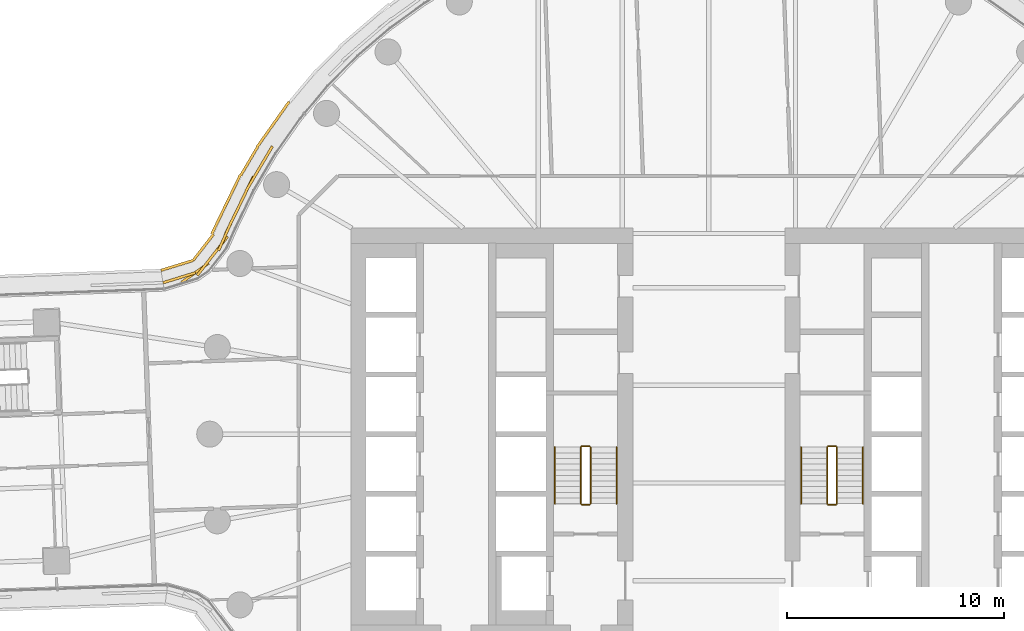
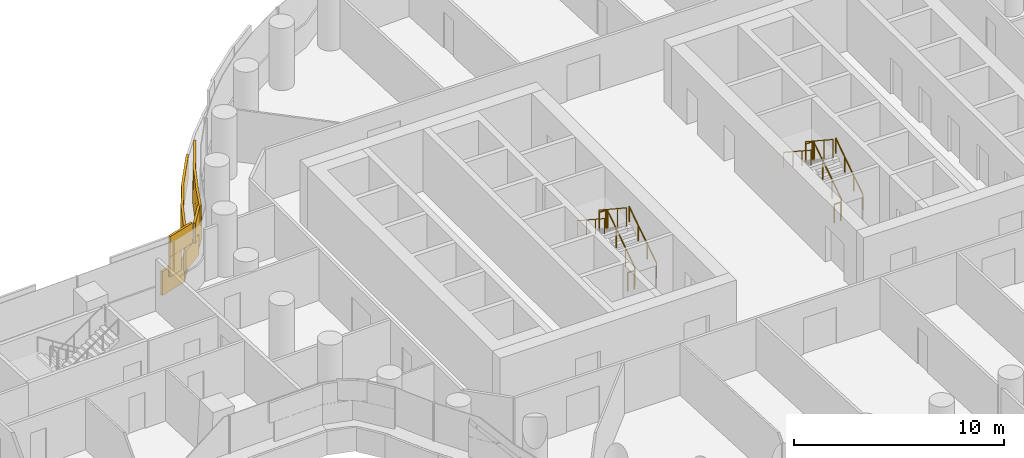
# One storey, part 28 of 31: 12 railings, 1 covering.
"""IFC4 building model written with IfcOpenShell, lengths in metres."""

from ifc_helpers import new_model, si_unit, direction, frame, origin, origin_2d, place, context, subcontext, project, spatial, rectangle, circle, extrude, material, layer, layer_set, type_object, element, save


model = new_model("IFC4")

# Units and contexts
model_context = context("Model", 3, precision=1e-05, world=origin(), true_north=direction((0.0, 1.0)))
body_context = subcontext(model_context, "Body", "Model", "MODEL_VIEW")
ifc_project = project(units=[si_unit("LENGTHUNIT", "METRE"), si_unit("AREAUNIT", "SQUARE_METRE"), si_unit("VOLUMEUNIT", "CUBIC_METRE"), si_unit("PLANEANGLEUNIT", "RADIAN"), si_unit("MASSUNIT", "GRAM", prefix="KILO")], contexts=[model_context])

# Site, building, storey
site_placement = place(None, origin())
site = spatial("IfcSite", under=ifc_project, at=site_placement, CompositionType="ELEMENT")
building_placement = place(site_placement, origin())
building = spatial("IfcBuilding", under=site, at=building_placement, Name="Tamarind Cross Interchange Tower", CompositionType="ELEMENT")
storey_placement = place(building_placement, frame((0.0, 0.0, 41.5)))
storey = spatial("IfcBuildingStorey", under=building, at=storey_placement, Name="L08", CompositionType="ELEMENT", Elevation=41.5)

# Railings
ifc_material_1 = material(Name="Stair guard")
railing_type_1 = type_object("IfcRailingType", Name="Stair guard", PredefinedType="GUARDRAIL", material=ifc_material_1)
railing_1_placement = place(storey_placement, frame((-5.449951171875, -3.199951171875, 0.17041015625)))
element("IfcRailing", 1, at=railing_1_placement, inside=storey, type_object=railing_type_1, Name="L08 ST1 stair guard 1", PredefinedType="GUARDRAIL", context=body_context, shape_type="SweptSolid", body=[
    extrude(circle(Radius=0.02392578125, at=origin_2d()), frame((0.0, 0.0, 1.076171875), z_axis=(0.0, 0.836278606002, 0.548304744775), x_axis=(-1.0, 0.0, 0.0)), (0.0, 0.0, 1.0), 3.10888671875),
    extrude(circle(Radius=0.02099609375, at=origin_2d()), origin(), (0.0, 0.0, 1.0), 1.052001953125),
    extrude(circle(Radius=0.02099609375, at=origin_2d()), frame((0.0, 0.86669921875, 0.568115234375)), (0.0, 0.0, 1.0), 1.052001953125),
    extrude(circle(Radius=0.02099609375, at=origin_2d()), frame((0.0, 1.733154296875, 1.136474609375)), (0.0, 0.0, 1.0), 1.052001953125),
    extrude(circle(Radius=0.02099609375, at=origin_2d()), frame((0.0, 2.599853515625, 1.70458984375)), (0.0, 0.0, 1.0), 1.052001953125),
])
railing_2_placement = place(storey_placement, frame((-5.5, -0.550048828125, 1.875)))
element("IfcRailing", 2, at=railing_2_placement, inside=storey, type_object=railing_type_1, Name="L08 ST1 stair guard 2", PredefinedType="GUARDRAIL", context=body_context, shape_type="SweptSolid", body=[
    extrude(circle(Radius=0.02392578125, at=origin_2d()), frame((0.0, 0.0, 1.076171875), z_axis=(-1.0, 0.0, 0.0), x_axis=(0.0, -1.0, 0.0)), (0.0, 0.0, 1.0), 0.35009765625),
    extrude(circle(Radius=0.02099609375, at=origin_2d()), origin(), (0.0, 0.0, 1.0), 1.052001953125),
    extrude(circle(Radius=0.02099609375, at=origin_2d()), frame((-0.35009765625, 0.0, 0.0)), (0.0, 0.0, 1.0), 1.052001953125),
])
railing_3_placement = place(storey_placement, frame((-5.89990234375, -0.60009765625, 2.04541015625)))
element("IfcRailing", 3, at=railing_3_placement, inside=storey, type_object=railing_type_1, Name="L08 ST1 stair guard 3", PredefinedType="GUARDRAIL", context=body_context, shape_type="SweptSolid", body=[
    extrude(circle(Radius=0.02392578125, at=origin_2d()), frame((0.0, 0.0, 1.076171875), z_axis=(0.0, -0.836278606002, 0.548304744775), x_axis=(1.0, 0.0, 0.0)), (0.0, 0.0, 1.0), 3.10888671875),
    extrude(circle(Radius=0.02099609375, at=origin_2d()), origin(), (0.0, 0.0, 1.0), 1.052001953125),
    extrude(circle(Radius=0.02099609375, at=origin_2d()), frame((0.0, -0.86669921875, 0.568115234375)), (0.0, 0.0, 1.0), 1.052001953125),
    extrude(circle(Radius=0.02099609375, at=origin_2d()), frame((0.0, -1.733154296875, 1.136474609375)), (0.0, 0.0, 1.0), 1.052001953125),
    extrude(circle(Radius=0.02099609375, at=origin_2d()), frame((0.0, -2.599853515625, 1.70458984375)), (0.0, 0.0, 1.0), 1.052001953125),
])
railing_4_placement = place(storey_placement, frame((-5.5, -3.25, 0.0)))
element("IfcRailing", 4, at=railing_4_placement, inside=storey, type_object=railing_type_1, Name="L08 ST1 stair guard 4", PredefinedType="GUARDRAIL", context=body_context, shape_type="SweptSolid", body=[
    extrude(circle(Radius=0.02392578125, at=origin_2d()), frame((0.0, 0.0, 1.076171875), z_axis=(-1.0, 0.0, 0.0), x_axis=(0.0, -1.0, 0.0)), (0.0, 0.0, 1.0), 0.35009765625),
    extrude(circle(Radius=0.02099609375, at=origin_2d()), origin(), (0.0, 0.0, 1.0), 1.052001953125),
    extrude(circle(Radius=0.02099609375, at=origin_2d()), frame((-0.35009765625, 0.0, 0.0)), (0.0, 0.0, 1.0), 1.052001953125),
])
railing_5_placement = place(storey_placement, frame((5.89990234375, -3.199951171875, 0.17041015625)))
element("IfcRailing", 5, at=railing_5_placement, inside=storey, type_object=railing_type_1, Name="L08 ST2 stair guard 1", PredefinedType="GUARDRAIL", context=body_context, shape_type="SweptSolid", body=[
    extrude(circle(Radius=0.02392578125, at=origin_2d()), frame((0.0, 0.0, 1.076171875), z_axis=(0.0, 0.836278606002, 0.548304744775), x_axis=(-1.0, 0.0, 0.0)), (0.0, 0.0, 1.0), 3.10888671875),
    extrude(circle(Radius=0.02099609375, at=origin_2d()), origin(), (0.0, 0.0, 1.0), 1.052001953125),
    extrude(circle(Radius=0.02099609375, at=origin_2d()), frame((0.0, 0.86669921875, 0.568115234375)), (0.0, 0.0, 1.0), 1.052001953125),
    extrude(circle(Radius=0.02099609375, at=origin_2d()), frame((0.0, 1.733154296875, 1.136474609375)), (0.0, 0.0, 1.0), 1.052001953125),
    extrude(circle(Radius=0.02099609375, at=origin_2d()), frame((0.0, 2.599853515625, 1.70458984375)), (0.0, 0.0, 1.0), 1.052001953125),
])
railing_6_placement = place(storey_placement, frame((5.85009765625, -0.550048828125, 1.875)))
element("IfcRailing", 6, at=railing_6_placement, inside=storey, type_object=railing_type_1, Name="L08 ST2 stair guard 2", PredefinedType="GUARDRAIL", context=body_context, shape_type="SweptSolid", body=[
    extrude(circle(Radius=0.02392578125, at=origin_2d()), frame((0.0, 0.0, 1.076171875), z_axis=(-1.0, 0.0, 0.0), x_axis=(0.0, -1.0, 0.0)), (0.0, 0.0, 1.0), 0.35009765625),
    extrude(circle(Radius=0.02099609375, at=origin_2d()), origin(), (0.0, 0.0, 1.0), 1.052001953125),
    extrude(circle(Radius=0.02099609375, at=origin_2d()), frame((-0.35009765625, 0.0, 0.0)), (0.0, 0.0, 1.0), 1.052001953125),
])
railing_7_placement = place(storey_placement, frame((5.449951171875, -0.60009765625, 2.04541015625)))
element("IfcRailing", 7, at=railing_7_placement, inside=storey, type_object=railing_type_1, Name="L08 ST2 stair guard 3", PredefinedType="GUARDRAIL", context=body_context, shape_type="SweptSolid", body=[
    extrude(circle(Radius=0.02392578125, at=origin_2d()), frame((0.0, 0.0, 1.076171875), z_axis=(0.0, -0.836278606002, 0.548304744775), x_axis=(1.0, 0.0, 0.0)), (0.0, 0.0, 1.0), 3.10888671875),
    extrude(circle(Radius=0.02099609375, at=origin_2d()), origin(), (0.0, 0.0, 1.0), 1.052001953125),
    extrude(circle(Radius=0.02099609375, at=origin_2d()), frame((0.0, -0.86669921875, 0.568115234375)), (0.0, 0.0, 1.0), 1.052001953125),
    extrude(circle(Radius=0.02099609375, at=origin_2d()), frame((0.0, -1.733154296875, 1.136474609375)), (0.0, 0.0, 1.0), 1.052001953125),
    extrude(circle(Radius=0.02099609375, at=origin_2d()), frame((0.0, -2.599853515625, 1.70458984375)), (0.0, 0.0, 1.0), 1.052001953125),
])
railing_8_placement = place(storey_placement, frame((5.85009765625, -3.25, 0.0)))
element("IfcRailing", 8, at=railing_8_placement, inside=storey, type_object=railing_type_1, Name="L08 ST2 stair guard 4", PredefinedType="GUARDRAIL", context=body_context, shape_type="SweptSolid", body=[
    extrude(circle(Radius=0.02392578125, at=origin_2d()), frame((0.0, 0.0, 1.076171875), z_axis=(-1.0, 0.0, 0.0), x_axis=(0.0, -1.0, 0.0)), (0.0, 0.0, 1.0), 0.35009765625),
    extrude(circle(Radius=0.02099609375, at=origin_2d()), origin(), (0.0, 0.0, 1.0), 1.052001953125),
    extrude(circle(Radius=0.02099609375, at=origin_2d()), frame((-0.35009765625, 0.0, 0.0)), (0.0, 0.0, 1.0), 1.052001953125),
])
ifc_material_2 = material(Name="Stair handrail")
railing_type_2 = type_object("IfcRailingType", Name="Stair handrail", PredefinedType="HANDRAIL", material=ifc_material_2)
railing_9_placement = place(storey_placement, frame((-4.25, -3.199951171875, 0.17041015625)))
element("IfcRailing", 9, at=railing_9_placement, inside=storey, type_object=railing_type_2, Name="L08 ST1 stair handrail 1", PredefinedType="HANDRAIL", context=body_context, shape_type="SweptSolid", body=[
    extrude(circle(Radius=0.02392578125, at=origin_2d()), frame((0.0, 0.0, 0.8759765625), z_axis=(0.0, 0.836278606002, 0.548304744775), x_axis=(-1.0, 0.0, 0.0)), (0.0, 0.0, 1.0), 3.10888671875),
    extrude(circle(Radius=0.02099609375, at=origin_2d()), origin(), (0.0, 0.0, 1.0), 0.851806640625),
    extrude(circle(Radius=0.02099609375, at=origin_2d()), frame((0.0, 0.86669921875, 0.568115234375)), (0.0, 0.0, 1.0), 0.851806640625),
    extrude(circle(Radius=0.02099609375, at=origin_2d()), frame((0.0, 1.733154296875, 1.136474609375)), (0.0, 0.0, 1.0), 0.851806640625),
    extrude(circle(Radius=0.02099609375, at=origin_2d()), frame((0.0, 2.599853515625, 1.70458984375)), (0.0, 0.0, 1.0), 0.851806640625),
])
railing_10_placement = place(storey_placement, frame((-7.10009765625, -0.60009765625, 2.04541015625)))
element("IfcRailing", 10, at=railing_10_placement, inside=storey, type_object=railing_type_2, Name="L08 ST1 stair handrail 2", PredefinedType="HANDRAIL", context=body_context, shape_type="SweptSolid", body=[
    extrude(circle(Radius=0.02392578125, at=origin_2d()), frame((0.0, 0.0, 0.8759765625), z_axis=(0.0, -0.836278606002, 0.548304744775), x_axis=(1.0, 0.0, 0.0)), (0.0, 0.0, 1.0), 3.10888671875),
    extrude(circle(Radius=0.02099609375, at=origin_2d()), origin(), (0.0, 0.0, 1.0), 0.851806640625),
    extrude(circle(Radius=0.02099609375, at=origin_2d()), frame((0.0, -0.86669921875, 0.568115234375)), (0.0, 0.0, 1.0), 0.851806640625),
    extrude(circle(Radius=0.02099609375, at=origin_2d()), frame((0.0, -1.733154296875, 1.136474609375)), (0.0, 0.0, 1.0), 0.851806640625),
    extrude(circle(Radius=0.02099609375, at=origin_2d()), frame((0.0, -2.599853515625, 1.70458984375)), (0.0, 0.0, 1.0), 0.851806640625),
])
railing_11_placement = place(storey_placement, frame((7.10009765625, -3.199951171875, 0.17041015625)))
element("IfcRailing", 11, at=railing_11_placement, inside=storey, type_object=railing_type_2, Name="L08 ST2 stair handrail 1", PredefinedType="HANDRAIL", context=body_context, shape_type="SweptSolid", body=[
    extrude(circle(Radius=0.02392578125, at=origin_2d()), frame((0.0, 0.0, 0.8759765625), z_axis=(0.0, 0.836278606002, 0.548304744775), x_axis=(-1.0, 0.0, 0.0)), (0.0, 0.0, 1.0), 3.10888671875),
    extrude(circle(Radius=0.02099609375, at=origin_2d()), origin(), (0.0, 0.0, 1.0), 0.851806640625),
    extrude(circle(Radius=0.02099609375, at=origin_2d()), frame((0.0, 0.86669921875, 0.568115234375)), (0.0, 0.0, 1.0), 0.851806640625),
    extrude(circle(Radius=0.02099609375, at=origin_2d()), frame((0.0, 1.733154296875, 1.136474609375)), (0.0, 0.0, 1.0), 0.851806640625),
    extrude(circle(Radius=0.02099609375, at=origin_2d()), frame((0.0, 2.599853515625, 1.70458984375)), (0.0, 0.0, 1.0), 0.851806640625),
])
railing_12_placement = place(storey_placement, frame((4.25, -0.60009765625, 2.04541015625)))
element("IfcRailing", 12, at=railing_12_placement, inside=storey, type_object=railing_type_2, Name="L08 ST2 stair handrail 2", PredefinedType="HANDRAIL", context=body_context, shape_type="SweptSolid", body=[
    extrude(circle(Radius=0.02392578125, at=origin_2d()), frame((0.0, 0.0, 0.8759765625), z_axis=(0.0, -0.836278606002, 0.548304744775), x_axis=(1.0, 0.0, 0.0)), (0.0, 0.0, 1.0), 3.10888671875),
    extrude(circle(Radius=0.02099609375, at=origin_2d()), origin(), (0.0, 0.0, 1.0), 0.851806640625),
    extrude(circle(Radius=0.02099609375, at=origin_2d()), frame((0.0, -0.86669921875, 0.568115234375)), (0.0, 0.0, 1.0), 0.851806640625),
    extrude(circle(Radius=0.02099609375, at=origin_2d()), frame((0.0, -1.733154296875, 1.136474609375)), (0.0, 0.0, 1.0), 0.851806640625),
    extrude(circle(Radius=0.02099609375, at=origin_2d()), frame((0.0, -2.599853515625, 1.70458984375)), (0.0, 0.0, 1.0), 0.851806640625),
])

# Covering
ifc_material_3 = material(Name="Terracotta", Category="masonry")
ifc_layer = layer(ifc_material_3, 0.1201171875)
ifc_layer_set = layer_set([ifc_layer], Name="Terracotta")
covering_type = type_object("IfcCoveringType", Name="Terracotta baguette screen unit", PredefinedType="MOLDING", material=ifc_layer_set)
covering_placement = place(storey_placement, origin())
element("IfcCovering", 13, at=covering_placement, inside=storey, type_object=covering_type, Name="SCR-L08-14-01", PredefinedType="MOLDING", context=body_context, shape_type="SweptSolid", body=[
    extrude(rectangle(XDim=1.52001953125, YDim=0.1201171875, at=origin_2d()), frame((-20.571044921875, 12.492919921875, 1.404052734375), z_axis=(0.0, 0.0, 1.0), x_axis=(-0.508183308752, -0.861248933065, 0.0)), (0.0, 0.0, 1.0), 1.1669921875),
    extrude(rectangle(XDim=1.52001953125, YDim=0.1201171875, at=origin_2d()), frame((-21.31884765625, 11.193115234375, 1.404052734375), z_axis=(0.0, 0.0, 1.0), x_axis=(-0.435326231914, -0.900272776334, 0.0)), (0.0, 0.0, 1.0), 1.1669921875),
    extrude(rectangle(XDim=1.52001953125, YDim=0.1201171875, at=origin_2d()), frame((-21.971923828125, 9.8427734375, 1.404052734375), z_axis=(0.0, 0.0, 1.0), x_axis=(-0.435326231914, -0.900272776334, 0.0)), (0.0, 0.0, 1.0), 1.1669921875),
    extrude(rectangle(XDim=1.52001953125, YDim=0.1201171875, at=origin_2d()), frame((-22.6474609375, 8.510986328125, 1.404052734375), z_axis=(0.0, 0.0, 1.0), x_axis=(-0.615172315477, -0.788392682786, 0.0)), (0.0, 0.0, 1.0), 1.1669921875),
    extrude(rectangle(XDim=1.52001953125, YDim=0.1201171875, at=origin_2d()), frame((-23.67578125, 7.438720703125, 1.404052734375), z_axis=(0.0, 0.0, 1.0), x_axis=(-0.815260166993, -0.579094862794, 0.0)), (0.0, 0.0, 1.0), 1.1669921875),
    extrude(rectangle(XDim=0.8056640625, YDim=0.1201171875, at=origin_2d()), frame((-24.771484375, 7.097412109375, 1.404052734375), z_axis=(0.0, 0.0, 1.0), x_axis=(-0.955212257745, -0.295921514349, 0.0)), (0.0, 0.0, 1.0), 1.1669921875),
    extrude(rectangle(XDim=0.90576171875, YDim=0.1201171875, at=origin_2d()), frame((-20.343505859375, 12.878662109375, 2.5791015625), z_axis=(0.0, 0.0, 1.0), x_axis=(-0.508183308752, -0.861248933065, 0.0)), (0.0, 0.0, 1.0), 1.1669921875),
    extrude(rectangle(XDim=1.52001953125, YDim=0.1201171875, at=origin_2d()), frame((-20.9521484375, 11.846923828125, 2.5791015625), z_axis=(0.0, 0.0, 1.0), x_axis=(-0.508183308752, -0.861248933065, 0.0)), (0.0, 0.0, 1.0), 1.1669921875),
    extrude(rectangle(XDim=1.52001953125, YDim=0.1201171875, at=origin_2d()), frame((-21.645263671875, 10.51806640625, 2.5791015625), z_axis=(0.0, 0.0, 1.0), x_axis=(-0.435326231914, -0.900272776334, 0.0)), (0.0, 0.0, 1.0), 1.1669921875),
    extrude(rectangle(XDim=1.52001953125, YDim=0.1201171875, at=origin_2d()), frame((-22.2841796875, 9.1611328125, 2.5791015625), z_axis=(0.0, 0.0, 1.0), x_axis=(-0.404640212769, -0.914475969182, 0.0)), (0.0, 0.0, 1.0), 1.1669921875),
    extrude(rectangle(XDim=1.52001953125, YDim=0.1201171875, at=origin_2d()), frame((-23.10888671875, 7.919677734375, 2.5791015625), z_axis=(0.0, 0.0, 1.0), x_axis=(-0.615172315477, -0.788392682786, 0.0)), (0.0, 0.0, 1.0), 1.1669921875),
    extrude(rectangle(XDim=1.52001953125, YDim=0.1201171875, at=origin_2d()), frame((-24.391357421875, 7.21533203125, 2.5791015625), z_axis=(0.0, 0.0, 1.0), x_axis=(-0.955212257745, -0.295921514349, 0.0)), (0.0, 0.0, 1.0), 1.1669921875),
    extrude(rectangle(XDim=0.0556640625, YDim=0.1201171875, at=origin_2d()), frame((-25.129638671875, 6.986572265625, 2.5791015625), z_axis=(0.0, 0.0, 1.0), x_axis=(-0.955212257745, -0.295921514349, 0.0)), (0.0, 0.0, 1.0), 1.1669921875),
    extrude(rectangle(XDim=1.076904296875, YDim=0.1201171875, at=origin_2d()), frame((-19.650146484375, 14.886962890625, 0.00390625), z_axis=(0.0, 0.0, 1.0), x_axis=(-0.577568978284, -0.816341886298, 0.0)), (0.0, 0.0, 1.0), 1.39208984375),
    extrude(rectangle(XDim=1.52001953125, YDim=0.1201171875, at=origin_2d()), frame((-20.388427734375, 13.84326171875, 0.00390625), z_axis=(0.0, 0.0, 1.0), x_axis=(-0.577568978284, -0.816341886298, 0.0)), (0.0, 0.0, 1.0), 1.39208984375),
    extrude(rectangle(XDim=1.52001953125, YDim=0.1201171875, at=origin_2d()), frame((-21.1884765625, 12.57568359375, 0.00390625), z_axis=(0.0, 0.0, 1.0), x_axis=(-0.508183308752, -0.861248933065, 0.0)), (0.0, 0.0, 1.0), 1.39208984375),
    extrude(rectangle(XDim=1.52001953125, YDim=0.1201171875, at=origin_2d()), frame((-21.92041015625, 11.267578125, 0.00390625), z_axis=(0.0, 0.0, 1.0), x_axis=(-0.435326231914, -0.900272776334, 0.0)), (0.0, 0.0, 1.0), 1.39208984375),
    extrude(rectangle(XDim=1.52001953125, YDim=0.1201171875, at=origin_2d()), frame((-22.573486328125, 9.917236328125, 0.00390625), z_axis=(0.0, 0.0, 1.0), x_axis=(-0.435326231914, -0.900272776334, 0.0)), (0.0, 0.0, 1.0), 1.39208984375),
    extrude(rectangle(XDim=1.52001953125, YDim=0.1201171875, at=origin_2d()), frame((-23.295166015625, 8.61376953125, 0.00390625), z_axis=(0.0, 0.0, 1.0), x_axis=(-0.615172315477, -0.788392682786, 0.0)), (0.0, 0.0, 1.0), 1.39208984375),
    extrude(rectangle(XDim=1.52001953125, YDim=0.1201171875, at=origin_2d()), frame((-24.48388671875, 7.78759765625, 0.00390625), z_axis=(0.0, 0.0, 1.0), x_axis=(-0.955212257745, -0.295921514349, 0.0)), (0.0, 0.0, 1.0), 1.39208984375),
    extrude(rectangle(XDim=0.060546875, YDim=0.1201171875, at=origin_2d()), frame((-25.2197265625, 7.5595703125, 0.00390625), z_axis=(0.0, 0.0, 1.0), x_axis=(-0.955212257745, -0.295921514349, 0.0)), (0.0, 0.0, 1.0), 1.39208984375),
])

save(model, "model.ifc")
